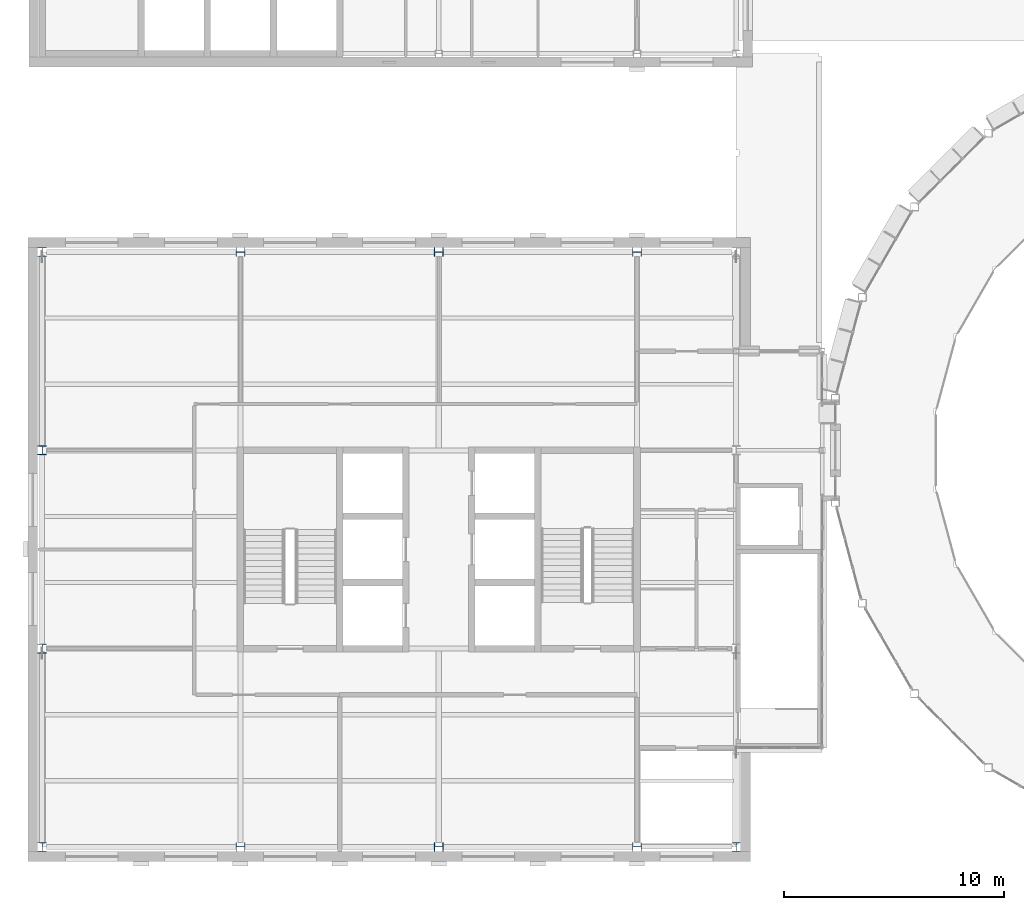
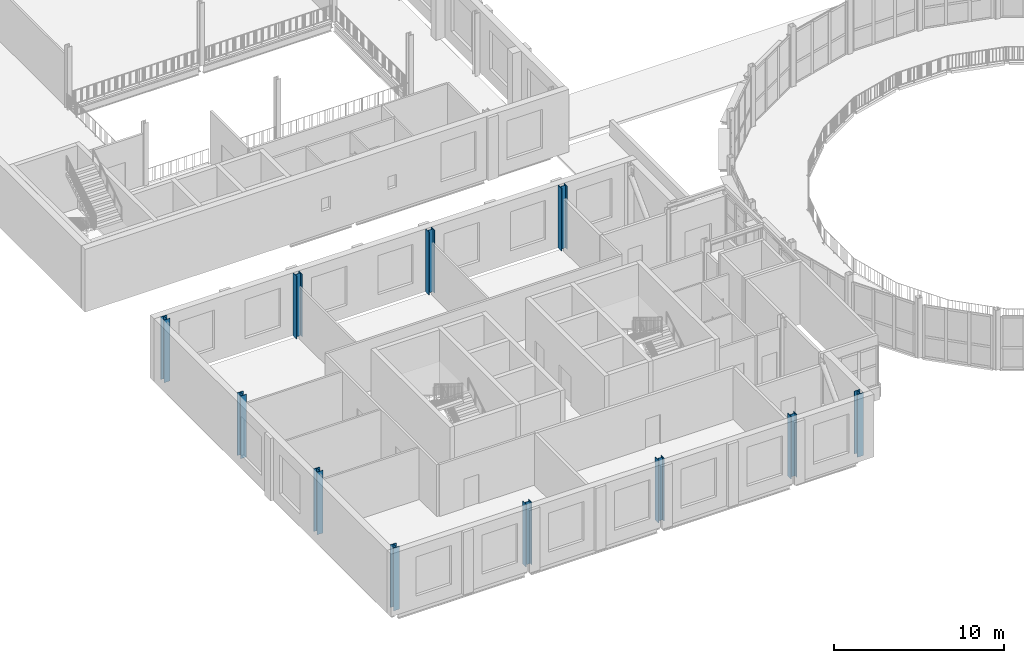
# One storey, part 1 of 74: 11 columns.
"""IFC4 building model written with IfcOpenShell, lengths in metres."""

import ifcopenshell
import ifcopenshell.guid

model = None  # the IFC model being written
_history = None  # IfcOwnerHistory: only IFC2X3 demands one
_inside = {}  # id of a spatial element -> (the spatial element, [elements in it])
_under = {}  # id of a project, library or spatial element -> (it, [spatial elements below it])
_declared = {}  # id of a project -> (the project, [libraries it declares])
_typed = {}  # id of a type object -> (the type object, [elements of that type])
_made_of = {}  # id of a material, layer set ... -> (it, [elements and type objects made of it])


def new_model(schema):
    """Start an empty IFC model of exactly this schema.

    Asked for "IFC4X3", IfcOpenShell would pick the latest addendum, in which some entities
    have other attributes; the version numbers below select the first issue.
    IFC2X3 requires an IfcOwnerHistory on every rooted entity: one is made here for all.
    """
    global model, _history
    if schema == "IFC4X3":
        model = ifcopenshell.file(schema_version=(4, 3, 0, 0))
    else:
        model = ifcopenshell.file(schema=schema)
    _inside.clear()
    _under.clear()
    _declared.clear()
    _typed.clear()
    _made_of.clear()
    _history = None
    if model.schema == "IFC2X3":
        org = make("IfcOrganization", Name="unknown")
        user = make(
            "IfcPersonAndOrganization",
            ThePerson=make("IfcPerson", FamilyName="unknown"),
            TheOrganization=org,
        )
        app = make(
            "IfcApplication",
            ApplicationDeveloper=org,
            Version="unknown",
            ApplicationFullName="unknown",
            ApplicationIdentifier="unknown",
        )
        _history = make(
            "IfcOwnerHistory",
            OwningUser=user,
            OwningApplication=app,
            ChangeAction="ADDED",
            CreationDate=0,
        )
    return model


def make(cls, **values):
    """One entity of the class cls with the attributes given. An attribute that is None is left unset."""
    return model.create_entity(
        cls, **{name: value for name, value in values.items() if value is not None}
    )


def rooted(cls, **values):
    """An entity with a GlobalId (a new one), such as an element, a storey or a relation."""
    return make(cls, GlobalId=ifcopenshell.guid.new(), OwnerHistory=_history, **values)


def si_unit(unit_type, name, prefix=None):
    """IfcSIUnit, for example si_unit("LENGTHUNIT", "METRE", prefix="MILLI")."""
    return make("IfcSIUnit", UnitType=unit_type, Prefix=prefix, Name=name)


def assignment(units):
    """IfcUnitAssignment: the units of a project."""
    return None if units is None else make("IfcUnitAssignment", Units=units)


def point(xyz):
    """IfcCartesianPoint."""
    return None if xyz is None else make("IfcCartesianPoint", Coordinates=xyz)


def direction(xyz):
    """IfcDirection."""
    return None if xyz is None else make("IfcDirection", DirectionRatios=xyz)


def frame(location, z_axis=None, x_axis=None):
    """IfcAxis2Placement3D, a coordinate frame: its origin and axes. An axis left out is left unset."""
    return make(
        "IfcAxis2Placement3D",
        Location=point(location),
        Axis=direction(z_axis),
        RefDirection=direction(x_axis),
    )


def frame_2d(location, x_axis=None):
    """IfcAxis2Placement2D, a coordinate frame in the plane: its origin and x axis."""
    return make(
        "IfcAxis2Placement2D", Location=point(location), RefDirection=direction(x_axis)
    )


def origin():
    """The frame at (0, 0, 0) with its axes left unset."""
    return frame((0.0, 0.0, 0.0))


def origin_2d():
    """The frame at (0, 0) in the plane with its x axis left unset."""
    return frame_2d((0.0, 0.0))


def place(relative_to, where):
    """IfcLocalPlacement: puts the frame where relative to a parent placement (None: the world)."""
    return make(
        "IfcLocalPlacement", PlacementRelTo=relative_to, RelativePlacement=where
    )


def context(
    kind, dimensions, precision=None, world=None, true_north=None, identifier=None
):
    """IfcGeometricRepresentationContext, for example the 3D "Model" context."""
    return make(
        "IfcGeometricRepresentationContext",
        ContextIdentifier=identifier,
        ContextType=kind,
        CoordinateSpaceDimension=dimensions,
        Precision=precision,
        WorldCoordinateSystem=world,
        TrueNorth=true_north,
    )


def subcontext(parent, identifier, kind, view, scale=None):
    """IfcGeometricRepresentationSubContext, for example "Body" below "Model"."""
    return make(
        "IfcGeometricRepresentationSubContext",
        ContextIdentifier=identifier,
        ContextType=kind,
        ParentContext=parent,
        TargetScale=scale,
        TargetView=view,
    )


def project(units=None, contexts=None):
    """IfcProject with its units and contexts."""
    return rooted(
        "IfcProject",
        Name="project",
        RepresentationContexts=contexts,
        UnitsInContext=assignment(units),
    )


def spatial(cls, under=None, at=None, **own):
    """A site, building, storey or space (cls), placed at a placement, below another one or the project."""
    s = rooted(cls, ObjectPlacement=at, **own)
    if under is not None:
        _under.setdefault(under.id(), (under, []))[1].append(s)
    return s


def profile(cls, at=None, kind="AREA", **sizes):
    """A parametric profile (cls). Its sizes go by their IFC names, for example OverallWidth=200.0."""
    return make(cls, ProfileType=kind, Position=at, **sizes)


def i_section(**sizes):
    """IfcIShapeProfileDef."""
    return profile("IfcIShapeProfileDef", **sizes)


def extrude(swept, where, along, depth):
    """IfcExtrudedAreaSolid: the profile swept, set in the frame where, extruded along a direction by depth."""
    return make(
        "IfcExtrudedAreaSolid",
        SweptArea=swept,
        Position=where,
        ExtrudedDirection=direction(along),
        Depth=depth,
    )


def shape(context_of_items, identifier, shape_type, items):
    """IfcShapeRepresentation: the items that make up one representation, for example the "Body"."""
    return make(
        "IfcShapeRepresentation",
        ContextOfItems=context_of_items,
        RepresentationIdentifier=identifier,
        RepresentationType=shape_type,
        Items=items,
    )


def material(Name=None, Category=None):
    """IfcMaterial."""
    return make("IfcMaterial", Name=Name, Category=Category)


def material_profile(
    of_material, cross_section, Name=None, Category=None, Priority=None
):
    """IfcMaterialProfile: a cross section and its material."""
    return make(
        "IfcMaterialProfile",
        Name=Name,
        Material=of_material,
        Profile=cross_section,
        Priority=Priority,
        Category=Category,
    )


def profile_set(profiles, Name=None, composite=None):
    """IfcMaterialProfileSet."""
    return make(
        "IfcMaterialProfileSet",
        Name=Name,
        MaterialProfiles=profiles,
        CompositeProfile=composite,
    )


def made_of(thing, what):
    """Note that an element or type object is made of a material, layer set ...; save() writes the relation."""
    if what is not None:
        _made_of.setdefault(what.id(), (what, []))[1].append(thing)
    return thing


def type_object(cls, material=None, **own):
    """A type object (cls), such as IfcWallType, which elements share."""
    return made_of(rooted(cls, **own), material)


def element(
    cls,
    number,
    at=None,
    inside=None,
    cuts=None,
    type_object=None,
    material=None,
    context=None,
    identifier="Body",
    shape_type=None,
    held_by="IfcProductDefinitionShape",
    body=None,
    shapes=None,
    **own,
):
    """One element of the class cls, such as IfcWall. Its Tag is "e" and its number.

    at: its placement. inside: the storey or other place that contains it. cuts: it is an
    opening in that element (IfcRelVoidsElement). A single representation is given by context,
    identifier, shape_type and body (its items); several are given by shapes. held_by: the class
    of the entity that holds the representations. save() writes the other relations.
    """
    e = rooted(cls, Tag="e%d" % number, ObjectPlacement=at, **own)
    if body is not None:
        shapes = [shape(context, identifier, shape_type, body)]
    if shapes is not None:
        e.Representation = make(held_by, Representations=shapes)
    if inside is not None:
        _inside.setdefault(inside.id(), (inside, []))[1].append(e)
    if cuts is not None:
        rooted(
            "IfcRelVoidsElement", RelatingBuildingElement=cuts, RelatedOpeningElement=e
        )
    if type_object is not None:
        _typed.setdefault(type_object.id(), (type_object, []))[1].append(e)
    return made_of(e, material)


def aggregate(whole, parts):
    """IfcRelAggregates: a whole, such as a stair, and the parts it consists of."""
    return rooted("IfcRelAggregates", RelatingObject=whole, RelatedObjects=parts)


def save(model, path):
    """Write the relations noted so far, then the file.

    IfcRelAggregates (storeys below a building ...), IfcRelContainedInSpatialStructure (elements
    in a storey), IfcRelDefinesByType, IfcRelAssociatesMaterial and IfcRelDeclares: one each for
    every whole, place, type object, material and project.
    """
    for whole, parts in _under.values():
        aggregate(whole, parts)
    for where, things in _inside.values():
        rooted(
            "IfcRelContainedInSpatialStructure",
            RelatedElements=things,
            RelatingStructure=where,
        )
    for kind, things in _typed.values():
        rooted("IfcRelDefinesByType", RelatedObjects=things, RelatingType=kind)
    for what, things in _made_of.values():
        rooted("IfcRelAssociatesMaterial", RelatedObjects=things, RelatingMaterial=what)
    for by, libraries in _declared.values():
        rooted("IfcRelDeclares", RelatingContext=by, RelatedDefinitions=libraries)
    model.write(path)


model = new_model("IFC4")

# Units and contexts
model_context = context("Model", 3, precision=1e-05, world=origin(), true_north=direction((0.0, 1.0)))
body_context = subcontext(model_context, "Body", "Model", "MODEL_VIEW")
ifc_project = project(units=[si_unit("LENGTHUNIT", "METRE"), si_unit("AREAUNIT", "SQUARE_METRE"), si_unit("VOLUMEUNIT", "CUBIC_METRE"), si_unit("PLANEANGLEUNIT", "RADIAN"), si_unit("MASSUNIT", "GRAM", prefix="KILO")], contexts=[model_context])

# Site, building, storey
site_placement = place(None, origin())
site = spatial("IfcSite", under=ifc_project, at=site_placement, CompositionType="ELEMENT")
building_placement = place(site_placement, origin())
building = spatial("IfcBuilding", under=site, at=building_placement, Name="Hortulan Conservatory and Botanical Research Centre", CompositionType="ELEMENT")
storey_placement = place(building_placement, frame((0.0, 0.0, 6.0)))
storey = spatial("IfcBuildingStorey", under=building, at=storey_placement, Name="L01", CompositionType="ELEMENT", Elevation=6.0)

# Columns
ifc_material = material(Name="Steel Grade 300 (AS/NZS 3679.2, plate AS/NZS 3678, 280 MPa minimum yield)", Category="steel")
ifc_material_profile = material_profile(ifc_material, i_section(OverallWidth=0.39990234375, OverallDepth=0.422119140625, WebThickness=0.028076171875, FlangeThickness=0.035888671875, at=origin_2d()), Name="400WC303")
ifc_profile_set = profile_set([ifc_material_profile], Name="Steel Grade 300 (AS/NZS 3679.2, plate AS/NZS 3678, 280 MPa minimum yield)")
column_type = type_object("IfcColumnType", Name="Tower Column 400WC303", PredefinedType="COLUMN", material=ifc_profile_set)
for number, where, z_axis, x_axis, name in (
    (1, (0.0, 0.0, 0.0), (0.0, 0.0, 1.0), (1.0, 0.0, 0.0), "400WC303 column"),
    (2, (0.0, 9.0, 0.0), (0.0, 0.0, 1.0), (1.0, 0.0, 0.0), "400WC303 column"),
    (3, (0.0, 18.0, 0.0), (0.0, 0.0, 1.0), (1.0, 0.0, 0.0), "400WC303 column"),
    (4, (0.0, 27.0, 0.0), (0.0, 0.0, 1.0), (1.0, 0.0, 0.0), "400WC303 column"),
    (5, (9.0, 0.0, 0.0), (0.0, 0.0, 1.0), (0.0, 1.0, 0.0), "400WC303 column"),
    (6, (9.0, 27.0, 0.0), (0.0, 0.0, 1.0), (0.0, 1.0, 0.0), "400WC303 column"),
    (7, (18.0, 0.0, 0.0), (0.0, 0.0, 1.0), (0.0, 1.0, 0.0), "400WC303 column"),
    (8, (18.0, 27.0, 0.0), (0.0, 0.0, 1.0), (0.0, 1.0, 0.0), "400WC303 column"),
    (9, (27.0, 0.0, 0.0), (0.0, 0.0, 1.0), (0.0, 1.0, 0.0), "400WC303 column"),
    (10, (27.0, 27.0, 0.0), (0.0, 0.0, 1.0), (0.0, 1.0, 0.0), "400WC303 column"),
    (11, (31.5, 0.0, 0.0), (0.0, 0.0, 1.0), (1.0, 0.0, 0.0), "400WC303 column"),
):
    element("IfcColumn", number, at=place(storey_placement, frame(where, z_axis=z_axis, x_axis=x_axis)), inside=storey, type_object=column_type, Name=name, PredefinedType="COLUMN", context=body_context, shape_type="SweptSolid", body=[
        extrude(i_section(OverallWidth=0.39990234375, OverallDepth=0.422119140625, WebThickness=0.028076171875, FlangeThickness=0.035888671875, at=origin_2d()), origin(), (0.0, 0.0, 1.0), 4.5),
    ])

save(model, "model.ifc")
